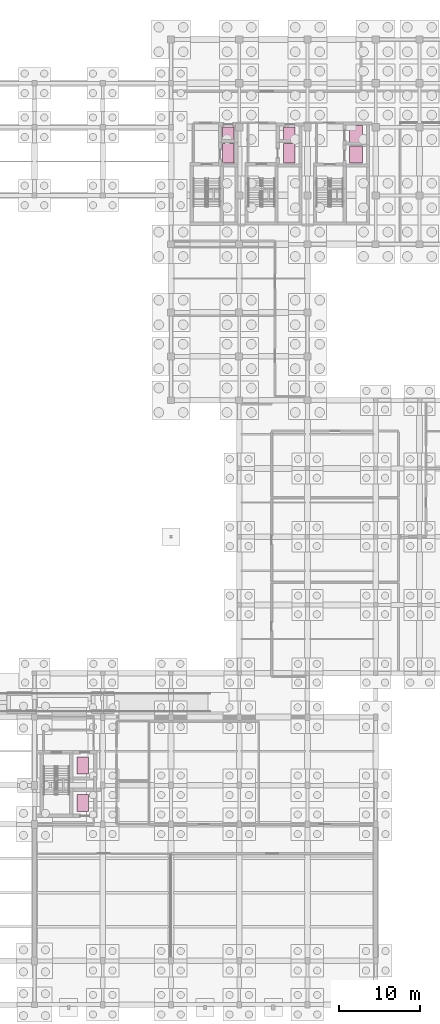
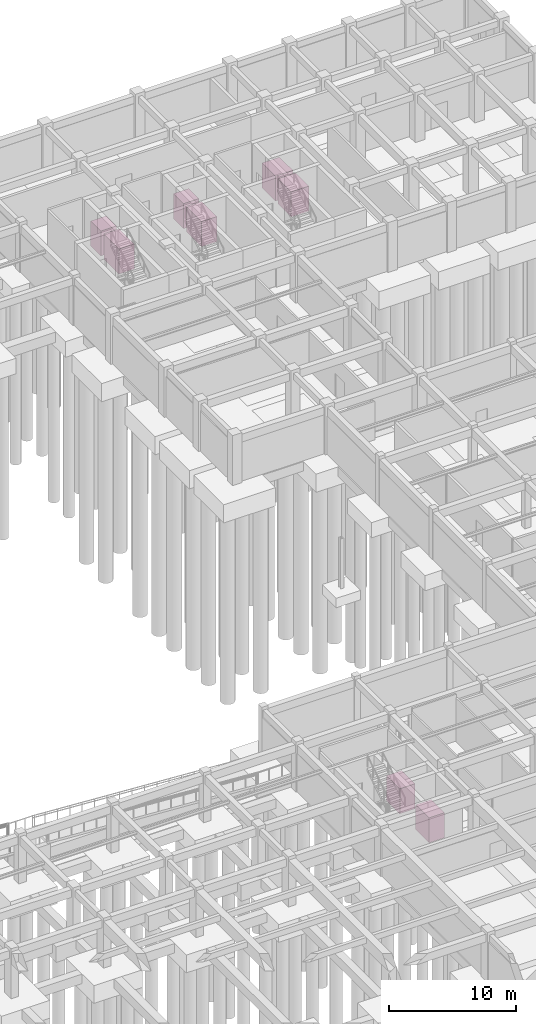
# One storey, part 49 of 49: 8 transport elements.
"""IFC4 building model written with IfcOpenShell, lengths in metres."""

import ifcopenshell
import ifcopenshell.guid

model = None  # the IFC model being written
_history = None  # IfcOwnerHistory: only IFC2X3 demands one
_inside = {}  # id of a spatial element -> (the spatial element, [elements in it])
_under = {}  # id of a project, library or spatial element -> (it, [spatial elements below it])
_declared = {}  # id of a project -> (the project, [libraries it declares])
_typed = {}  # id of a type object -> (the type object, [elements of that type])
_made_of = {}  # id of a material, layer set ... -> (it, [elements and type objects made of it])


def new_model(schema):
    """Start an empty IFC model of exactly this schema.

    Asked for "IFC4X3", IfcOpenShell would pick the latest addendum, in which some entities
    have other attributes; the version numbers below select the first issue.
    IFC2X3 requires an IfcOwnerHistory on every rooted entity: one is made here for all.
    """
    global model, _history
    if schema == "IFC4X3":
        model = ifcopenshell.file(schema_version=(4, 3, 0, 0))
    else:
        model = ifcopenshell.file(schema=schema)
    _inside.clear()
    _under.clear()
    _declared.clear()
    _typed.clear()
    _made_of.clear()
    _history = None
    if model.schema == "IFC2X3":
        org = make("IfcOrganization", Name="unknown")
        user = make(
            "IfcPersonAndOrganization",
            ThePerson=make("IfcPerson", FamilyName="unknown"),
            TheOrganization=org,
        )
        app = make(
            "IfcApplication",
            ApplicationDeveloper=org,
            Version="unknown",
            ApplicationFullName="unknown",
            ApplicationIdentifier="unknown",
        )
        _history = make(
            "IfcOwnerHistory",
            OwningUser=user,
            OwningApplication=app,
            ChangeAction="ADDED",
            CreationDate=0,
        )
    return model


def make(cls, **values):
    """One entity of the class cls with the attributes given. An attribute that is None is left unset."""
    return model.create_entity(
        cls, **{name: value for name, value in values.items() if value is not None}
    )


def rooted(cls, **values):
    """An entity with a GlobalId (a new one), such as an element, a storey or a relation."""
    return make(cls, GlobalId=ifcopenshell.guid.new(), OwnerHistory=_history, **values)


def si_unit(unit_type, name, prefix=None):
    """IfcSIUnit, for example si_unit("LENGTHUNIT", "METRE", prefix="MILLI")."""
    return make("IfcSIUnit", UnitType=unit_type, Prefix=prefix, Name=name)


def assignment(units):
    """IfcUnitAssignment: the units of a project."""
    return None if units is None else make("IfcUnitAssignment", Units=units)


def point(xyz):
    """IfcCartesianPoint."""
    return None if xyz is None else make("IfcCartesianPoint", Coordinates=xyz)


def direction(xyz):
    """IfcDirection."""
    return None if xyz is None else make("IfcDirection", DirectionRatios=xyz)


def frame(location, z_axis=None, x_axis=None):
    """IfcAxis2Placement3D, a coordinate frame: its origin and axes. An axis left out is left unset."""
    return make(
        "IfcAxis2Placement3D",
        Location=point(location),
        Axis=direction(z_axis),
        RefDirection=direction(x_axis),
    )


def frame_2d(location, x_axis=None):
    """IfcAxis2Placement2D, a coordinate frame in the plane: its origin and x axis."""
    return make(
        "IfcAxis2Placement2D", Location=point(location), RefDirection=direction(x_axis)
    )


def origin():
    """The frame at (0, 0, 0) with its axes left unset."""
    return frame((0.0, 0.0, 0.0))


def origin_2d():
    """The frame at (0, 0) in the plane with its x axis left unset."""
    return frame_2d((0.0, 0.0))


def place(relative_to, where):
    """IfcLocalPlacement: puts the frame where relative to a parent placement (None: the world)."""
    return make(
        "IfcLocalPlacement", PlacementRelTo=relative_to, RelativePlacement=where
    )


def context(
    kind, dimensions, precision=None, world=None, true_north=None, identifier=None
):
    """IfcGeometricRepresentationContext, for example the 3D "Model" context."""
    return make(
        "IfcGeometricRepresentationContext",
        ContextIdentifier=identifier,
        ContextType=kind,
        CoordinateSpaceDimension=dimensions,
        Precision=precision,
        WorldCoordinateSystem=world,
        TrueNorth=true_north,
    )


def subcontext(parent, identifier, kind, view, scale=None):
    """IfcGeometricRepresentationSubContext, for example "Body" below "Model"."""
    return make(
        "IfcGeometricRepresentationSubContext",
        ContextIdentifier=identifier,
        ContextType=kind,
        ParentContext=parent,
        TargetScale=scale,
        TargetView=view,
    )


def project(units=None, contexts=None):
    """IfcProject with its units and contexts."""
    return rooted(
        "IfcProject",
        Name="project",
        RepresentationContexts=contexts,
        UnitsInContext=assignment(units),
    )


def spatial(cls, under=None, at=None, **own):
    """A site, building, storey or space (cls), placed at a placement, below another one or the project."""
    s = rooted(cls, ObjectPlacement=at, **own)
    if under is not None:
        _under.setdefault(under.id(), (under, []))[1].append(s)
    return s


def profile(cls, at=None, kind="AREA", **sizes):
    """A parametric profile (cls). Its sizes go by their IFC names, for example OverallWidth=200.0."""
    return make(cls, ProfileType=kind, Position=at, **sizes)


def rectangle(**sizes):
    """IfcRectangleProfileDef."""
    return profile("IfcRectangleProfileDef", **sizes)


def extrude(swept, where, along, depth):
    """IfcExtrudedAreaSolid: the profile swept, set in the frame where, extruded along a direction by depth."""
    return make(
        "IfcExtrudedAreaSolid",
        SweptArea=swept,
        Position=where,
        ExtrudedDirection=direction(along),
        Depth=depth,
    )


def shape(context_of_items, identifier, shape_type, items):
    """IfcShapeRepresentation: the items that make up one representation, for example the "Body"."""
    return make(
        "IfcShapeRepresentation",
        ContextOfItems=context_of_items,
        RepresentationIdentifier=identifier,
        RepresentationType=shape_type,
        Items=items,
    )


def material(Name=None, Category=None):
    """IfcMaterial."""
    return make("IfcMaterial", Name=Name, Category=Category)


def made_of(thing, what):
    """Note that an element or type object is made of a material, layer set ...; save() writes the relation."""
    if what is not None:
        _made_of.setdefault(what.id(), (what, []))[1].append(thing)
    return thing


def type_object(cls, material=None, **own):
    """A type object (cls), such as IfcWallType, which elements share."""
    return made_of(rooted(cls, **own), material)


def element(
    cls,
    number,
    at=None,
    inside=None,
    cuts=None,
    type_object=None,
    material=None,
    context=None,
    identifier="Body",
    shape_type=None,
    held_by="IfcProductDefinitionShape",
    body=None,
    shapes=None,
    **own,
):
    """One element of the class cls, such as IfcWall. Its Tag is "e" and its number.

    at: its placement. inside: the storey or other place that contains it. cuts: it is an
    opening in that element (IfcRelVoidsElement). A single representation is given by context,
    identifier, shape_type and body (its items); several are given by shapes. held_by: the class
    of the entity that holds the representations. save() writes the other relations.
    """
    e = rooted(cls, Tag="e%d" % number, ObjectPlacement=at, **own)
    if body is not None:
        shapes = [shape(context, identifier, shape_type, body)]
    if shapes is not None:
        e.Representation = make(held_by, Representations=shapes)
    if inside is not None:
        _inside.setdefault(inside.id(), (inside, []))[1].append(e)
    if cuts is not None:
        rooted(
            "IfcRelVoidsElement", RelatingBuildingElement=cuts, RelatedOpeningElement=e
        )
    if type_object is not None:
        _typed.setdefault(type_object.id(), (type_object, []))[1].append(e)
    return made_of(e, material)


def aggregate(whole, parts):
    """IfcRelAggregates: a whole, such as a stair, and the parts it consists of."""
    return rooted("IfcRelAggregates", RelatingObject=whole, RelatedObjects=parts)


def save(model, path):
    """Write the relations noted so far, then the file.

    IfcRelAggregates (storeys below a building ...), IfcRelContainedInSpatialStructure (elements
    in a storey), IfcRelDefinesByType, IfcRelAssociatesMaterial and IfcRelDeclares: one each for
    every whole, place, type object, material and project.
    """
    for whole, parts in _under.values():
        aggregate(whole, parts)
    for where, things in _inside.values():
        rooted(
            "IfcRelContainedInSpatialStructure",
            RelatedElements=things,
            RelatingStructure=where,
        )
    for kind, things in _typed.values():
        rooted("IfcRelDefinesByType", RelatedObjects=things, RelatingType=kind)
    for what, things in _made_of.values():
        rooted("IfcRelAssociatesMaterial", RelatedObjects=things, RelatingMaterial=what)
    for by, libraries in _declared.values():
        rooted("IfcRelDeclares", RelatingContext=by, RelatedDefinitions=libraries)
    model.write(path)


model = new_model("IFC4")

# Units and contexts
model_context = context("Model", 3, precision=1e-05, world=origin(), true_north=direction((0.0, 1.0)))
body_context = subcontext(model_context, "Body", "Model", "MODEL_VIEW")
ifc_project = project(units=[si_unit("LENGTHUNIT", "METRE"), si_unit("AREAUNIT", "SQUARE_METRE"), si_unit("VOLUMEUNIT", "CUBIC_METRE"), si_unit("PLANEANGLEUNIT", "RADIAN"), si_unit("MASSUNIT", "GRAM", prefix="KILO")], contexts=[model_context])

# Site, building, storey
site_placement = place(None, origin())
site = spatial("IfcSite", under=ifc_project, at=site_placement, CompositionType="ELEMENT")
building_placement = place(site_placement, origin())
building = spatial("IfcBuilding", under=site, at=building_placement, Name="Krzemoval Escarpment Law Courts", CompositionType="ELEMENT")
storey_placement = place(building_placement, frame((0.0, 0.0, -4.800048828125)))
storey = spatial("IfcBuildingStorey", under=building, at=storey_placement, Name="B1", CompositionType="ELEMENT", Elevation=-4.800048828125)

# Transport elements
ifc_material_1 = material(Name="Reinforced Stainless Steel Custody Lift Car", Category="concrete")
transport_element_type_1 = type_object("IfcTransportElementType", Name="LFT-CUS-1400x2100", PredefinedType="ELEVATOR", material=ifc_material_1)
for number, where, z_axis, x_axis, name in (
    (1, (115.14990234375, 24.85009765625, 0.0), (0.0, 0.0, 1.0), (1.0, 0.0, 0.0), "Custody Escort Lift CL1"),
    (2, (115.14990234375, 29.449951171875, 0.0), (0.0, 0.0, 1.0), (1.0, 0.0, 0.0), "Custody Escort Lift CL2"),
):
    element("IfcTransportElement", number, at=place(storey_placement, frame(where, z_axis=z_axis, x_axis=x_axis)), inside=storey, type_object=transport_element_type_1, Name=name, PredefinedType="ELEVATOR", context=body_context, shape_type="SweptSolid", body=[
        extrude(rectangle(XDim=1.39990234375, YDim=2.10009765625, at=origin_2d()), origin(), (0.0, 0.0, 1.0), 2.39990234375),
    ])
ifc_material_2 = material(Name="Stainless Steel Grade 304 Lift Car Assembly", Category="steel")
transport_element_type_2 = type_object("IfcTransportElementType", Name="LFT-FF-1400x2400", PredefinedType="ELEVATOR", material=ifc_material_2)
for number, where, z_axis, x_axis, name in (
    (3, (133.050048828125, 104.800048828125, 0.0), (0.0, 0.0, 1.0), (1.0, 0.0, 0.0), "Firefighting Lift FL1"),
    (4, (140.550048828125, 104.800048828125, 0.0), (0.0, 0.0, 1.0), (1.0, 0.0, 0.0), "Firefighting Lift FL2"),
):
    element("IfcTransportElement", number, at=place(storey_placement, frame(where, z_axis=z_axis, x_axis=x_axis)), inside=storey, type_object=transport_element_type_2, Name=name, PredefinedType="ELEVATOR", context=body_context, shape_type="SweptSolid", body=[
        extrude(rectangle(XDim=1.39990234375, YDim=2.39990234375, at=origin_2d()), origin(), (0.0, 0.0, 1.0), 2.39990234375),
    ])
ifc_material_3 = material(Name="Stainless Steel Grade 304 Lift Car Assembly", Category="steel")
transport_element_type_3 = type_object("IfcTransportElementType", Name="LFT-JUD-1400x1600", PredefinedType="ELEVATOR", material=ifc_material_3)
for number, where, z_axis, x_axis, name in (
    (5, (133.050048828125, 107.25, 0.0), (0.0, 0.0, 1.0), (1.0, 0.0, 0.0), "Judicial Lift JL1"),
    (6, (140.550048828125, 107.25, 0.0), (0.0, 0.0, 1.0), (1.0, 0.0, 0.0), "Judicial Lift JL2"),
):
    element("IfcTransportElement", number, at=place(storey_placement, frame(where, z_axis=z_axis, x_axis=x_axis)), inside=storey, type_object=transport_element_type_3, Name=name, PredefinedType="ELEVATOR", context=body_context, shape_type="SweptSolid", body=[
        extrude(rectangle(XDim=1.39990234375, YDim=1.60009765625, at=origin_2d()), origin(), (0.0, 0.0, 1.0), 2.39990234375),
    ])
ifc_material_4 = material(Name="Stainless Steel Grade 304 Lift Car Assembly", Category="steel")
transport_element_type_4 = type_object("IfcTransportElementType", Name="LFT-PAX-1600x2100", PredefinedType="ELEVATOR", material=ifc_material_4)
for number, where, z_axis, x_axis, name in (
    (7, (148.800048828125, 104.64990234375, 0.0), (0.0, 0.0, 1.0), (1.0, 0.0, 0.0), "Passenger Lift PL1"),
    (8, (148.800048828125, 107.14990234375, 0.0), (0.0, 0.0, 1.0), (1.0, 0.0, 0.0), "Passenger Lift PL2"),
):
    element("IfcTransportElement", number, at=place(storey_placement, frame(where, z_axis=z_axis, x_axis=x_axis)), inside=storey, type_object=transport_element_type_4, Name=name, PredefinedType="ELEVATOR", context=body_context, shape_type="SweptSolid", body=[
        extrude(rectangle(XDim=1.60009765625, YDim=2.10009765625, at=origin_2d()), origin(), (0.0, 0.0, 1.0), 2.39990234375),
    ])

save(model, "model.ifc")
